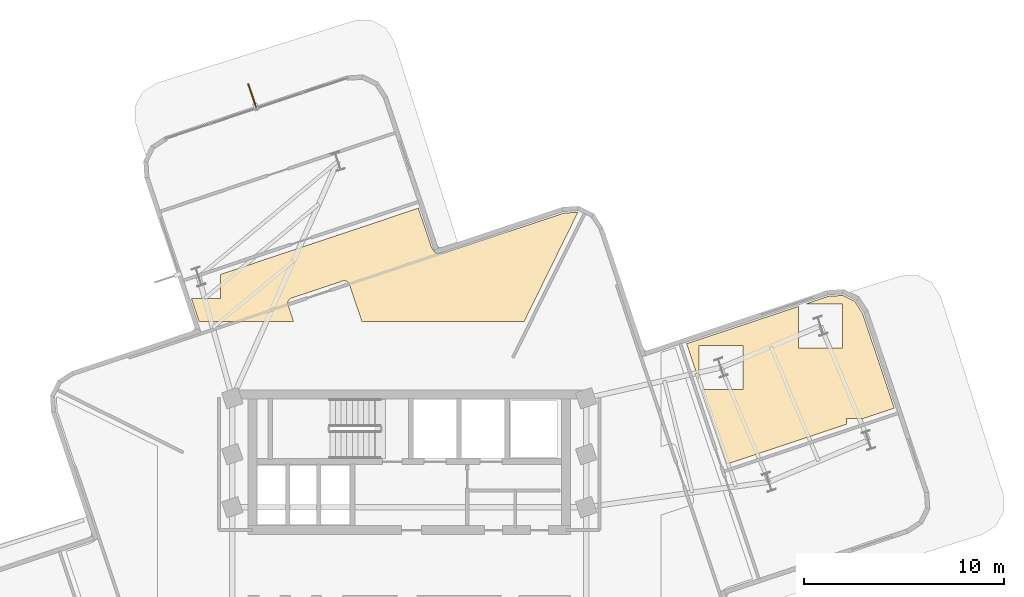
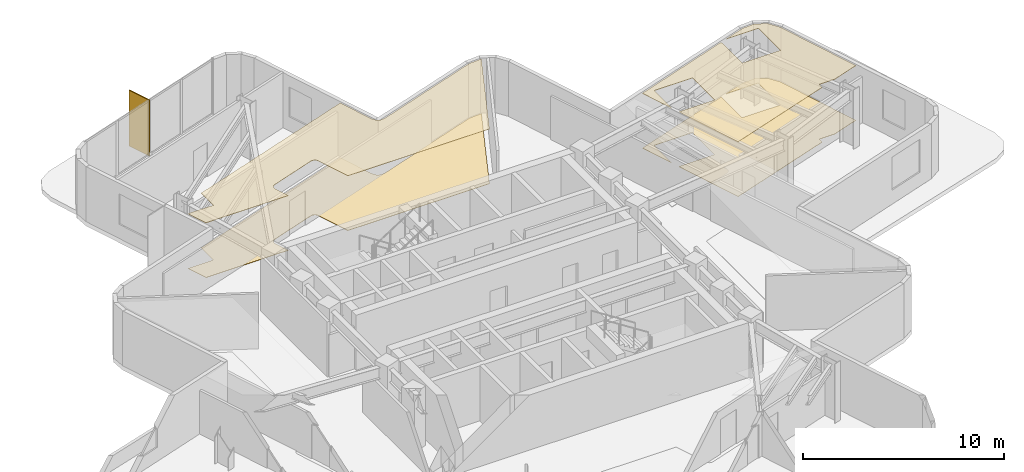
# One storey, part 11 of 11: 4 coverings, 1 shading device.
"""IFC4 building model written with IfcOpenShell, lengths in metres."""

from ifc_helpers import new_model, si_unit, direction, frame, origin, origin_2d, place, context, subcontext, project, spatial, polyline, rectangle, outline, extrude, material, layer, layer_set, type_object, element, save


model = new_model("IFC4")

# Units and contexts
model_context = context("Model", 3, precision=1e-05, world=origin(), true_north=direction((0.0, 1.0)))
body_context = subcontext(model_context, "Body", "Model", "MODEL_VIEW")
ifc_project = project(units=[si_unit("LENGTHUNIT", "METRE"), si_unit("AREAUNIT", "SQUARE_METRE"), si_unit("VOLUMEUNIT", "CUBIC_METRE"), si_unit("PLANEANGLEUNIT", "RADIAN"), si_unit("MASSUNIT", "GRAM", prefix="KILO")], contexts=[model_context])

# Site, building, storey
site_placement = place(None, origin())
site = spatial("IfcSite", under=ifc_project, at=site_placement, CompositionType="ELEMENT")
building_placement = place(site_placement, origin())
building = spatial("IfcBuilding", under=site, at=building_placement, Name="Solmarez Civic Tower", CompositionType="ELEMENT")
storey_placement = place(building_placement, frame((0.0, 0.0, 155.8798828125)))
storey = spatial("IfcBuildingStorey", under=building, at=storey_placement, Name="L41", CompositionType="ELEMENT", Elevation=155.8798828125)

# Coverings
ifc_material_1 = material(Name="Perforated Mineral-Fibre Acoustic Ceiling")
ifc_layer_1 = layer(ifc_material_1, 0.02490234375)
ifc_layer_set_1 = layer_set([ifc_layer_1], Name="Perforated Mineral-Fibre Acoustic Ceiling")
covering_type_1 = type_object("IfcCoveringType", Name="COV-CEIL-ACOUSTIC", PredefinedType="CEILING", material=ifc_layer_set_1)
covering_1_placement = place(storey_placement, frame((0.0, 0.0, 3.315185546875)))
element("IfcCovering", 1, at=covering_1_placement, inside=storey, type_object=covering_type_1, Name="L41 Suspended Acoustic Ceiling 1", PredefinedType="CEILING", context=body_context, shape_type="SweptSolid", body=[
    extrude(outline(polyline([(-9.43310546875, 14.549072265625), (-9.43310546875, 13.3330078125), (-10.89404296875, 13.3330078125), (-10.513916015625, 12.199951171875), (-5.7900390625, 12.199951171875), (-6.06298828125, 13.01611328125), (-6.068115234375, 13.030029296875), (-6.072998046875, 13.050048828125), (-6.073974609375, 13.054931640625), (-6.076904296875, 13.075927734375), (-6.077880859375, 13.097900390625), (-6.077880859375, 13.10693359375), (-6.076904296875, 13.12890625), (-6.073974609375, 13.14990234375), (-6.072998046875, 13.155029296875), (-6.072021484375, 13.159912109375), (-6.06494140625, 13.18701171875), (-6.06201171875, 13.196044921875), (-6.053955078125, 13.215087890625), (-6.044921875, 13.23291015625), (-6.0400390625, 13.241943359375), (-6.030029296875, 13.259033203125), (-6.01708984375, 13.27490234375), (-6.00390625, 13.291015625), (-5.9970703125, 13.298095703125), (-5.97802734375, 13.31396484375), (-5.9580078125, 13.3291015625), (-5.949951171875, 13.333984375), (-5.922119140625, 13.347900390625), (-5.9130859375, 13.35205078125), (-5.89404296875, 13.360107421875), (-3.3359375, 14.216064453125), (-3.322021484375, 14.220947265625), (-3.302001953125, 14.22607421875), (-3.297119140625, 14.22705078125), (-3.27587890625, 14.22998046875), (-3.25390625, 14.23095703125), (-3.2451171875, 14.23095703125), (-3.222900390625, 14.22998046875), (-3.201904296875, 14.22705078125), (-3.197021484375, 14.22607421875), (-3.19189453125, 14.22509765625), (-3.1650390625, 14.218017578125), (-3.156005859375, 14.215087890625), (-3.134033203125, 14.2060546875), (-3.113037109375, 14.195068359375), (-3.10791015625, 14.19189453125), (-3.092041015625, 14.180908203125), (-3.077880859375, 14.169921875), (-3.072021484375, 14.1650390625), (-3.06201171875, 14.156982421875), (-3.048095703125, 14.14306640625), (-3.034912109375, 14.126953125), (-3.02294921875, 14.111083984375), (-3.01806640625, 14.10302734375), (-3.00390625, 14.074951171875), (-3.0, 14.06591796875), (-2.991943359375, 14.047119140625), (-2.3740234375, 12.199951171875), (5.75390625, 12.199951171875), (8.43505859375, 17.65087890625), (8.428955078125, 17.654052734375), (7.720947265625, 17.610107421875), (1.748046875, 15.611083984375), (1.738037109375, 15.60791015625), (1.73095703125, 15.60595703125), (1.701904296875, 15.60009765625), (1.695068359375, 15.59912109375), (1.68798828125, 15.597900390625), (1.6708984375, 15.595947265625), (1.4990234375, 15.5849609375), (1.485107421875, 15.5849609375), (1.47802734375, 15.5849609375), (1.450927734375, 15.5869140625), (1.43896484375, 15.587890625), (1.431884765625, 15.589111328125), (1.409912109375, 15.593994140625), (1.402099609375, 15.595947265625), (1.385009765625, 15.60107421875), (1.367919921875, 15.60693359375), (1.361083984375, 15.610107421875), (1.35009765625, 15.614990234375), (1.343994140625, 15.617919921875), (1.3330078125, 15.6240234375), (1.325927734375, 15.6279296875), (1.31005859375, 15.637939453125), (1.2939453125, 15.64990234375), (1.2880859375, 15.655029296875), (1.281982421875, 15.659912109375), (1.26708984375, 15.673095703125), (1.25390625, 15.68798828125), (1.2490234375, 15.694091796875), (1.235107421875, 15.712890625), (1.23095703125, 15.718994140625), (1.135986328125, 15.862060546875), (1.132080078125, 15.867919921875), (1.1220703125, 15.885009765625), (1.113037109375, 15.903076171875), (1.110107421875, 15.909912109375), (1.10302734375, 15.927001953125), (1.10107421875, 15.93310546875), (0.45703125, 17.85791015625), (-9.43310546875, 14.549072265625)])), origin(), (0.0, 0.0, 1.0), 0.02490234375),
])
covering_2_placement = place(storey_placement, frame((0.0, 0.0, 3.315185546875)))
element("IfcCovering", 2, at=covering_2_placement, inside=storey, type_object=covering_type_1, Name="L41 Suspended Acoustic Ceiling 5", PredefinedType="CEILING", context=body_context, shape_type="SweptSolid", body=[
    extrude(outline(polyline([(24.261962890625, 7.85400390625), (22.672119140625, 12.60595703125), (22.281005859375, 13.196044921875), (21.68408203125, 13.493896484375), (20.97607421875, 13.450927734375), (19.827880859375, 13.06689453125), (21.676025390625, 13.06689453125), (21.676025390625, 10.866943359375), (19.47607421875, 10.866943359375), (19.47607421875, 12.948974609375), (13.873046875, 11.073974609375), (14.493896484375, 9.218994140625), (14.493896484375, 10.98291015625), (16.694091796875, 10.98291015625), (16.694091796875, 8.782958984375), (14.639892578125, 8.782958984375), (15.887939453125, 5.052001953125), (21.867919921875, 7.052978515625), (21.867919921875, 7.347900390625), (22.75, 7.347900390625), (24.261962890625, 7.85400390625)])), origin(), (0.0, 0.0, 1.0), 0.02490234375),
])
ifc_material_2 = material(Name="Polished Tropical Stone Terrazzo Flooring", Category="masonry")
ifc_layer_2 = layer(ifc_material_2, 0.02001953125)
ifc_layer_set_2 = layer_set([ifc_layer_2], Name="Polished Tropical Stone Terrazzo Flooring")
covering_type_2 = type_object("IfcCoveringType", Name="COV-FLOOR-TERRAZZO", PredefinedType="FLOORING", material=ifc_layer_set_2)
covering_3_placement = place(storey_placement, origin())
element("IfcCovering", 3, at=covering_3_placement, inside=storey, type_object=covering_type_2, Name="L41 Terrazzo Floor Finish 1", PredefinedType="FLOORING", context=body_context, shape_type="SweptSolid", body=[
    extrude(outline(polyline([(-9.43310546875, 14.549072265625), (-9.43310546875, 13.3330078125), (-10.89404296875, 13.3330078125), (-10.513916015625, 12.199951171875), (-5.7900390625, 12.199951171875), (-6.06298828125, 13.01611328125), (-6.068115234375, 13.030029296875), (-6.072998046875, 13.050048828125), (-6.073974609375, 13.054931640625), (-6.076904296875, 13.075927734375), (-6.077880859375, 13.097900390625), (-6.077880859375, 13.10693359375), (-6.076904296875, 13.12890625), (-6.073974609375, 13.14990234375), (-6.072998046875, 13.155029296875), (-6.072021484375, 13.159912109375), (-6.06494140625, 13.18701171875), (-6.06201171875, 13.196044921875), (-6.053955078125, 13.215087890625), (-6.044921875, 13.23291015625), (-6.0400390625, 13.241943359375), (-6.030029296875, 13.259033203125), (-6.01708984375, 13.27490234375), (-6.00390625, 13.291015625), (-5.9970703125, 13.298095703125), (-5.97802734375, 13.31396484375), (-5.9580078125, 13.3291015625), (-5.949951171875, 13.333984375), (-5.922119140625, 13.347900390625), (-5.9130859375, 13.35205078125), (-5.89404296875, 13.360107421875), (-3.3359375, 14.216064453125), (-3.322021484375, 14.220947265625), (-3.302001953125, 14.22607421875), (-3.297119140625, 14.22705078125), (-3.27587890625, 14.22998046875), (-3.25390625, 14.23095703125), (-3.2451171875, 14.23095703125), (-3.222900390625, 14.22998046875), (-3.201904296875, 14.22705078125), (-3.197021484375, 14.22607421875), (-3.19189453125, 14.22509765625), (-3.1650390625, 14.218017578125), (-3.156005859375, 14.215087890625), (-3.134033203125, 14.2060546875), (-3.113037109375, 14.195068359375), (-3.10791015625, 14.19189453125), (-3.092041015625, 14.180908203125), (-3.077880859375, 14.169921875), (-3.072021484375, 14.1650390625), (-3.06201171875, 14.156982421875), (-3.048095703125, 14.14306640625), (-3.034912109375, 14.126953125), (-3.02294921875, 14.111083984375), (-3.01806640625, 14.10302734375), (-3.00390625, 14.074951171875), (-3.0, 14.06591796875), (-2.991943359375, 14.047119140625), (-2.3740234375, 12.199951171875), (5.75390625, 12.199951171875), (8.43505859375, 17.65087890625), (8.428955078125, 17.654052734375), (7.720947265625, 17.610107421875), (1.748046875, 15.611083984375), (1.738037109375, 15.60791015625), (1.73095703125, 15.60595703125), (1.701904296875, 15.60009765625), (1.695068359375, 15.59912109375), (1.68798828125, 15.597900390625), (1.6708984375, 15.595947265625), (1.4990234375, 15.5849609375), (1.485107421875, 15.5849609375), (1.47802734375, 15.5849609375), (1.450927734375, 15.5869140625), (1.43896484375, 15.587890625), (1.431884765625, 15.589111328125), (1.409912109375, 15.593994140625), (1.402099609375, 15.595947265625), (1.385009765625, 15.60107421875), (1.367919921875, 15.60693359375), (1.361083984375, 15.610107421875), (1.35009765625, 15.614990234375), (1.343994140625, 15.617919921875), (1.3330078125, 15.6240234375), (1.325927734375, 15.6279296875), (1.31005859375, 15.637939453125), (1.2939453125, 15.64990234375), (1.2880859375, 15.655029296875), (1.281982421875, 15.659912109375), (1.26708984375, 15.673095703125), (1.25390625, 15.68798828125), (1.2490234375, 15.694091796875), (1.235107421875, 15.712890625), (1.23095703125, 15.718994140625), (1.135986328125, 15.862060546875), (1.132080078125, 15.867919921875), (1.1220703125, 15.885009765625), (1.113037109375, 15.903076171875), (1.110107421875, 15.909912109375), (1.10302734375, 15.927001953125), (1.10107421875, 15.93310546875), (0.45703125, 17.85791015625), (-9.43310546875, 14.549072265625)])), origin(), (0.0, 0.0, 1.0), 0.02001953125),
])
covering_4_placement = place(storey_placement, origin())
element("IfcCovering", 4, at=covering_4_placement, inside=storey, type_object=covering_type_2, Name="L41 Terrazzo Floor Finish 5", PredefinedType="FLOORING", context=body_context, shape_type="SweptSolid", body=[
    extrude(outline(polyline([(24.261962890625, 7.85400390625), (22.672119140625, 12.60595703125), (22.281005859375, 13.196044921875), (21.68408203125, 13.493896484375), (20.97607421875, 13.450927734375), (19.827880859375, 13.06689453125), (21.676025390625, 13.06689453125), (21.676025390625, 10.866943359375), (19.47607421875, 10.866943359375), (19.47607421875, 12.948974609375), (13.873046875, 11.073974609375), (14.493896484375, 9.218994140625), (14.493896484375, 10.98291015625), (16.694091796875, 10.98291015625), (16.694091796875, 8.782958984375), (14.639892578125, 8.782958984375), (15.887939453125, 5.052001953125), (21.867919921875, 7.052978515625), (21.867919921875, 7.347900390625), (22.75, 7.347900390625), (24.261962890625, 7.85400390625)])), origin(), (0.0, 0.0, 1.0), 0.02001953125),
])

# Shading device
ifc_material_3 = material(Name="Bronze Anodised Aluminium EN AW-6063 T6", Category="aluminium")
ifc_layer_3 = layer(ifc_material_3, 0.06005859375)
ifc_layer_set_3 = layer_set([ifc_layer_3], Name="Bronze Anodised Aluminium EN AW-6063 T6")
shading_device_type = type_object("IfcShadingDeviceType", Name="FIN-BRONZE-Z34", PredefinedType="USERDEFINED", material=ifc_layer_set_3)
shading_device_placement = place(storey_placement, frame((-7.842041015625, 23.43798828125, -0.039794921875), z_axis=(0.0, 0.0, 1.0), x_axis=(-0.32033193353, 0.94730536384, 0.0)))
element("IfcShadingDevice", 5, at=shading_device_placement, inside=storey, type_object=shading_device_type, Name="L41 Anodised Bronze Solar Fin FIN-L41-05", ObjectType="FIN", PredefinedType="USERDEFINED", context=body_context, shape_type="SweptSolid", body=[
    extrude(rectangle(XDim=1.35009765625, YDim=0.06005859375, at=origin_2d()), origin(), (0.0, 0.0, 1.0), 3.3798828125),
])

save(model, "model.ifc")
